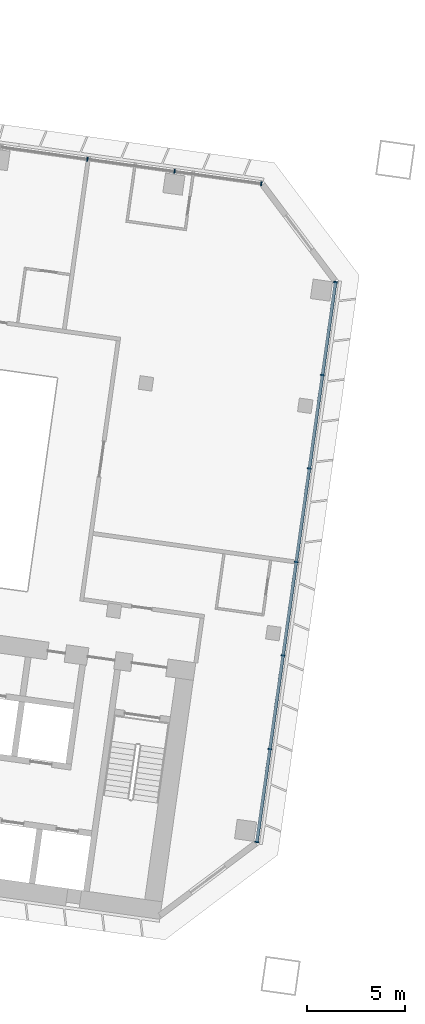
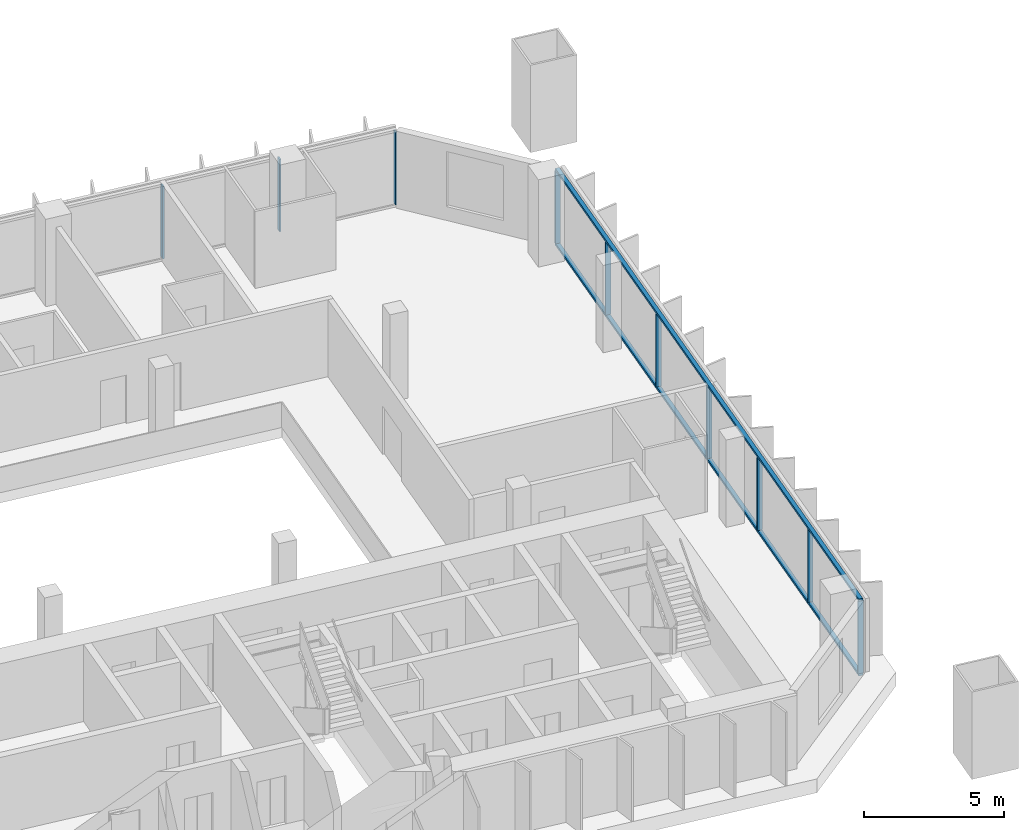
# One storey, part 6 of 24: 12 members, 2 elements without a shape of their own.
"""IFC4 building model written with IfcOpenShell, lengths in metres."""

import ifcopenshell
import ifcopenshell.guid

model = None  # the IFC model being written
_history = None  # IfcOwnerHistory: only IFC2X3 demands one
_inside = {}  # id of a spatial element -> (the spatial element, [elements in it])
_under = {}  # id of a project, library or spatial element -> (it, [spatial elements below it])
_declared = {}  # id of a project -> (the project, [libraries it declares])
_typed = {}  # id of a type object -> (the type object, [elements of that type])
_made_of = {}  # id of a material, layer set ... -> (it, [elements and type objects made of it])


def new_model(schema):
    """Start an empty IFC model of exactly this schema.

    Asked for "IFC4X3", IfcOpenShell would pick the latest addendum, in which some entities
    have other attributes; the version numbers below select the first issue.
    IFC2X3 requires an IfcOwnerHistory on every rooted entity: one is made here for all.
    """
    global model, _history
    if schema == "IFC4X3":
        model = ifcopenshell.file(schema_version=(4, 3, 0, 0))
    else:
        model = ifcopenshell.file(schema=schema)
    _inside.clear()
    _under.clear()
    _declared.clear()
    _typed.clear()
    _made_of.clear()
    _history = None
    if model.schema == "IFC2X3":
        org = make("IfcOrganization", Name="unknown")
        user = make(
            "IfcPersonAndOrganization",
            ThePerson=make("IfcPerson", FamilyName="unknown"),
            TheOrganization=org,
        )
        app = make(
            "IfcApplication",
            ApplicationDeveloper=org,
            Version="unknown",
            ApplicationFullName="unknown",
            ApplicationIdentifier="unknown",
        )
        _history = make(
            "IfcOwnerHistory",
            OwningUser=user,
            OwningApplication=app,
            ChangeAction="ADDED",
            CreationDate=0,
        )
    return model


def make(cls, **values):
    """One entity of the class cls with the attributes given. An attribute that is None is left unset."""
    return model.create_entity(
        cls, **{name: value for name, value in values.items() if value is not None}
    )


def rooted(cls, **values):
    """An entity with a GlobalId (a new one), such as an element, a storey or a relation."""
    return make(cls, GlobalId=ifcopenshell.guid.new(), OwnerHistory=_history, **values)


def si_unit(unit_type, name, prefix=None):
    """IfcSIUnit, for example si_unit("LENGTHUNIT", "METRE", prefix="MILLI")."""
    return make("IfcSIUnit", UnitType=unit_type, Prefix=prefix, Name=name)


def assignment(units):
    """IfcUnitAssignment: the units of a project."""
    return None if units is None else make("IfcUnitAssignment", Units=units)


def point(xyz):
    """IfcCartesianPoint."""
    return None if xyz is None else make("IfcCartesianPoint", Coordinates=xyz)


def direction(xyz):
    """IfcDirection."""
    return None if xyz is None else make("IfcDirection", DirectionRatios=xyz)


def frame(location, z_axis=None, x_axis=None):
    """IfcAxis2Placement3D, a coordinate frame: its origin and axes. An axis left out is left unset."""
    return make(
        "IfcAxis2Placement3D",
        Location=point(location),
        Axis=direction(z_axis),
        RefDirection=direction(x_axis),
    )


def frame_2d(location, x_axis=None):
    """IfcAxis2Placement2D, a coordinate frame in the plane: its origin and x axis."""
    return make(
        "IfcAxis2Placement2D", Location=point(location), RefDirection=direction(x_axis)
    )


def origin():
    """The frame at (0, 0, 0) with its axes left unset."""
    return frame((0.0, 0.0, 0.0))


def origin_2d():
    """The frame at (0, 0) in the plane with its x axis left unset."""
    return frame_2d((0.0, 0.0))


def place(relative_to, where):
    """IfcLocalPlacement: puts the frame where relative to a parent placement (None: the world)."""
    return make(
        "IfcLocalPlacement", PlacementRelTo=relative_to, RelativePlacement=where
    )


def context(
    kind, dimensions, precision=None, world=None, true_north=None, identifier=None
):
    """IfcGeometricRepresentationContext, for example the 3D "Model" context."""
    return make(
        "IfcGeometricRepresentationContext",
        ContextIdentifier=identifier,
        ContextType=kind,
        CoordinateSpaceDimension=dimensions,
        Precision=precision,
        WorldCoordinateSystem=world,
        TrueNorth=true_north,
    )


def subcontext(parent, identifier, kind, view, scale=None):
    """IfcGeometricRepresentationSubContext, for example "Body" below "Model"."""
    return make(
        "IfcGeometricRepresentationSubContext",
        ContextIdentifier=identifier,
        ContextType=kind,
        ParentContext=parent,
        TargetScale=scale,
        TargetView=view,
    )


def project(units=None, contexts=None):
    """IfcProject with its units and contexts."""
    return rooted(
        "IfcProject",
        Name="project",
        RepresentationContexts=contexts,
        UnitsInContext=assignment(units),
    )


def spatial(cls, under=None, at=None, **own):
    """A site, building, storey or space (cls), placed at a placement, below another one or the project."""
    s = rooted(cls, ObjectPlacement=at, **own)
    if under is not None:
        _under.setdefault(under.id(), (under, []))[1].append(s)
    return s


def profile(cls, at=None, kind="AREA", **sizes):
    """A parametric profile (cls). Its sizes go by their IFC names, for example OverallWidth=200.0."""
    return make(cls, ProfileType=kind, Position=at, **sizes)


def rectangle(**sizes):
    """IfcRectangleProfileDef."""
    return profile("IfcRectangleProfileDef", **sizes)


def extrude(swept, where, along, depth):
    """IfcExtrudedAreaSolid: the profile swept, set in the frame where, extruded along a direction by depth."""
    return make(
        "IfcExtrudedAreaSolid",
        SweptArea=swept,
        Position=where,
        ExtrudedDirection=direction(along),
        Depth=depth,
    )


def shape(context_of_items, identifier, shape_type, items):
    """IfcShapeRepresentation: the items that make up one representation, for example the "Body"."""
    return make(
        "IfcShapeRepresentation",
        ContextOfItems=context_of_items,
        RepresentationIdentifier=identifier,
        RepresentationType=shape_type,
        Items=items,
    )


def material(Name=None, Category=None):
    """IfcMaterial."""
    return make("IfcMaterial", Name=Name, Category=Category)


def material_profile(
    of_material, cross_section, Name=None, Category=None, Priority=None
):
    """IfcMaterialProfile: a cross section and its material."""
    return make(
        "IfcMaterialProfile",
        Name=Name,
        Material=of_material,
        Profile=cross_section,
        Priority=Priority,
        Category=Category,
    )


def profile_set(profiles, Name=None, composite=None):
    """IfcMaterialProfileSet."""
    return make(
        "IfcMaterialProfileSet",
        Name=Name,
        MaterialProfiles=profiles,
        CompositeProfile=composite,
    )


def made_of(thing, what):
    """Note that an element or type object is made of a material, layer set ...; save() writes the relation."""
    if what is not None:
        _made_of.setdefault(what.id(), (what, []))[1].append(thing)
    return thing


def type_object(cls, material=None, **own):
    """A type object (cls), such as IfcWallType, which elements share."""
    return made_of(rooted(cls, **own), material)


def element(
    cls,
    number,
    at=None,
    inside=None,
    cuts=None,
    type_object=None,
    material=None,
    context=None,
    identifier="Body",
    shape_type=None,
    held_by="IfcProductDefinitionShape",
    body=None,
    shapes=None,
    **own,
):
    """One element of the class cls, such as IfcWall. Its Tag is "e" and its number.

    at: its placement. inside: the storey or other place that contains it. cuts: it is an
    opening in that element (IfcRelVoidsElement). A single representation is given by context,
    identifier, shape_type and body (its items); several are given by shapes. held_by: the class
    of the entity that holds the representations. save() writes the other relations.
    """
    e = rooted(cls, Tag="e%d" % number, ObjectPlacement=at, **own)
    if body is not None:
        shapes = [shape(context, identifier, shape_type, body)]
    if shapes is not None:
        e.Representation = make(held_by, Representations=shapes)
    if inside is not None:
        _inside.setdefault(inside.id(), (inside, []))[1].append(e)
    if cuts is not None:
        rooted(
            "IfcRelVoidsElement", RelatingBuildingElement=cuts, RelatedOpeningElement=e
        )
    if type_object is not None:
        _typed.setdefault(type_object.id(), (type_object, []))[1].append(e)
    return made_of(e, material)


def aggregate(whole, parts):
    """IfcRelAggregates: a whole, such as a stair, and the parts it consists of."""
    return rooted("IfcRelAggregates", RelatingObject=whole, RelatedObjects=parts)


def save(model, path):
    """Write the relations noted so far, then the file.

    IfcRelAggregates (storeys below a building ...), IfcRelContainedInSpatialStructure (elements
    in a storey), IfcRelDefinesByType, IfcRelAssociatesMaterial and IfcRelDeclares: one each for
    every whole, place, type object, material and project.
    """
    for whole, parts in _under.values():
        aggregate(whole, parts)
    for where, things in _inside.values():
        rooted(
            "IfcRelContainedInSpatialStructure",
            RelatedElements=things,
            RelatingStructure=where,
        )
    for kind, things in _typed.values():
        rooted("IfcRelDefinesByType", RelatedObjects=things, RelatingType=kind)
    for what, things in _made_of.values():
        rooted("IfcRelAssociatesMaterial", RelatedObjects=things, RelatingMaterial=what)
    for by, libraries in _declared.values():
        rooted("IfcRelDeclares", RelatingContext=by, RelatedDefinitions=libraries)
    model.write(path)


model = new_model("IFC4")

# Units and contexts
model_context = context("Model", 3, precision=1e-05, world=origin(), true_north=direction((0.0, 1.0)))
body_context = subcontext(model_context, "Body", "Model", "MODEL_VIEW")
ifc_project = project(units=[si_unit("LENGTHUNIT", "METRE"), si_unit("AREAUNIT", "SQUARE_METRE"), si_unit("VOLUMEUNIT", "CUBIC_METRE"), si_unit("PLANEANGLEUNIT", "RADIAN"), si_unit("MASSUNIT", "GRAM", prefix="KILO")], contexts=[model_context])

# Site, building, storey
site_placement = place(None, origin())
site = spatial("IfcSite", under=ifc_project, at=site_placement, CompositionType="ELEMENT")
building_placement = place(site_placement, origin())
building = spatial("IfcBuilding", under=site, at=building_placement, Name="Mirante Cascada Hotel Towers", CompositionType="ELEMENT")
storey_placement = place(building_placement, frame((0.0, 0.0, 81.3)))
storey = spatial("IfcBuildingStorey", under=building, at=storey_placement, Name="L17", CompositionType="ELEMENT", Elevation=81.3)

# Curtain wall, members
ifc_material_1 = material(Name="Aluminium mullion and transom frame with clear laminated glass", Category="aluminium")
curtain_wall_type_1 = type_object("IfcCurtainWallType", Name="Ribbon curtain wall ECW1", PredefinedType="NOTDEFINED", material=ifc_material_1)
curtain_wall_1_placement = place(storey_placement, origin())
curtain_wall_1 = element("IfcCurtainWall", 1, at=curtain_wall_1_placement, inside=storey, type_object=curtain_wall_type_1, Name="Front ribbon wall T1 L17", PredefinedType="NOTDEFINED")
ifc_material_2 = material(Name="Anodised aluminium extrusion", Category="aluminium")
ifc_material_profile_1 = material_profile(ifc_material_2, rectangle(XDim=0.2, YDim=0.065, at=origin_2d()), Name="ECW1 MULLION 65x200")
ifc_profile_set_1 = profile_set([ifc_material_profile_1], Name="Anodised aluminium extrusion")
member_type_1 = type_object("IfcMemberType", Name="ECW1 mullion 65x200", PredefinedType="MULLION", material=ifc_profile_set_1)
member_1_placement = place(storey_placement, frame((-40.7892, 18.5516, 0.1), z_axis=(0.0, 0.0, 1.0), x_axis=(0.1391731, 0.9902681, 0.0)))
member_1 = element("IfcMember", 2, at=member_1_placement, type_object=member_type_1, Name="ECW1 mullion 13", PredefinedType="MULLION", context=body_context, shape_type="SweptSolid", body=[
    extrude(rectangle(XDim=0.2, YDim=0.065, at=origin_2d()), origin(), (0.0, 0.0, 1.0), 3.15),
])
member_2_placement = place(storey_placement, frame((-36.3417, 17.9265, 0.1), z_axis=(0.0, 0.0, 1.0), x_axis=(0.1391731, 0.9902681, 0.0)))
member_2 = element("IfcMember", 3, at=member_2_placement, type_object=member_type_1, Name="ECW1 mullion 14", PredefinedType="MULLION", context=body_context, shape_type="SweptSolid", body=[
    extrude(rectangle(XDim=0.2, YDim=0.065, at=origin_2d()), origin(), (0.0, 0.0, 1.0), 3.15),
])
member_3_placement = place(storey_placement, frame((-31.9265, 17.306, 0.1), z_axis=(0.0, 0.0, 1.0), x_axis=(0.1391731, 0.9902681, 0.0)))
member_3 = element("IfcMember", 4, at=member_3_placement, type_object=member_type_1, Name="ECW1 mullion 15", PredefinedType="MULLION", context=body_context, shape_type="SweptSolid", body=[
    extrude(rectangle(XDim=0.2, YDim=0.065, at=origin_2d()), origin(), (0.0, 0.0, 1.0), 3.15),
])
aggregate(curtain_wall_1, [member_1, member_2, member_3])

ifc_material_3 = material(Name="Aluminium mullion and transom frame with clear laminated glass", Category="aluminium")
curtain_wall_type_2 = type_object("IfcCurtainWallType", Name="End ribbon curtain wall ECW2", PredefinedType="NOTDEFINED", material=ifc_material_3)
curtain_wall_2_placement = place(storey_placement, origin())
curtain_wall_2 = element("IfcCurtainWall", 5, at=curtain_wall_2_placement, inside=storey, type_object=curtain_wall_type_2, Name="Inner end wall T1 L17", PredefinedType="NOTDEFINED")
ifc_material_4 = material(Name="Anodised aluminium extrusion", Category="aluminium")
ifc_material_profile_2 = material_profile(ifc_material_4, rectangle(XDim=0.2, YDim=0.065, at=origin_2d()), Name="ECW2 MULLION 65x200")
ifc_profile_set_2 = profile_set([ifc_material_profile_2], Name="Anodised aluminium extrusion")
member_type_2 = type_object("IfcMemberType", Name="ECW2 mullion 65x200", PredefinedType="MULLION", material=ifc_profile_set_2)
member_4_placement = place(storey_placement, frame((-28.1437, 12.2861, 0.1), z_axis=(0.0, 0.0, 1.0), x_axis=(0.9902681, -0.1391731, 0.0)))
member_4 = element("IfcMember", 6, at=member_4_placement, type_object=member_type_2, Name="ECW2 mullion 1", PredefinedType="MULLION", context=body_context, shape_type="SweptSolid", body=[
    extrude(rectangle(XDim=0.2, YDim=0.065, at=origin_2d()), origin(), (0.0, 0.0, 1.0), 3.15),
])
member_5_placement = place(storey_placement, frame((-28.809, 7.5524, 0.1), z_axis=(0.0, 0.0, 1.0), x_axis=(0.9902681, -0.1391731, 0.0)))
member_5 = element("IfcMember", 7, at=member_5_placement, type_object=member_type_2, Name="ECW2 mullion 2", PredefinedType="MULLION", context=body_context, shape_type="SweptSolid", body=[
    extrude(rectangle(XDim=0.2, YDim=0.065, at=origin_2d()), origin(), (0.0, 0.0, 1.0), 3.15),
])
member_6_placement = place(storey_placement, frame((-29.4788, 2.7867, 0.1), z_axis=(0.0, 0.0, 1.0), x_axis=(0.9902681, -0.1391731, 0.0)))
member_6 = element("IfcMember", 8, at=member_6_placement, type_object=member_type_2, Name="ECW2 mullion 3", PredefinedType="MULLION", context=body_context, shape_type="SweptSolid", body=[
    extrude(rectangle(XDim=0.2, YDim=0.065, at=origin_2d()), origin(), (0.0, 0.0, 1.0), 3.15),
])
member_7_placement = place(storey_placement, frame((-30.1485, -1.9791, 0.1), z_axis=(0.0, 0.0, 1.0), x_axis=(0.9902681, -0.1391731, 0.0)))
member_7 = element("IfcMember", 9, at=member_7_placement, type_object=member_type_2, Name="ECW2 mullion 4", PredefinedType="MULLION", context=body_context, shape_type="SweptSolid", body=[
    extrude(rectangle(XDim=0.2, YDim=0.065, at=origin_2d()), origin(), (0.0, 0.0, 1.0), 3.15),
])
member_8_placement = place(storey_placement, frame((-30.8183, -6.7449, 0.1), z_axis=(0.0, 0.0, 1.0), x_axis=(0.9902681, -0.1391731, 0.0)))
member_8 = element("IfcMember", 10, at=member_8_placement, type_object=member_type_2, Name="ECW2 mullion 5", PredefinedType="MULLION", context=body_context, shape_type="SweptSolid", body=[
    extrude(rectangle(XDim=0.2, YDim=0.065, at=origin_2d()), origin(), (0.0, 0.0, 1.0), 3.15),
])
member_9_placement = place(storey_placement, frame((-31.4881, -11.5107, 0.1), z_axis=(0.0, 0.0, 1.0), x_axis=(0.9902681, -0.1391731, 0.0)))
member_9 = element("IfcMember", 11, at=member_9_placement, type_object=member_type_2, Name="ECW2 mullion 6", PredefinedType="MULLION", context=body_context, shape_type="SweptSolid", body=[
    extrude(rectangle(XDim=0.2, YDim=0.065, at=origin_2d()), origin(), (0.0, 0.0, 1.0), 3.15),
])
member_10_placement = place(storey_placement, frame((-32.1534, -16.2443, 0.1), z_axis=(0.0, 0.0, 1.0), x_axis=(0.9902681, -0.1391731, 0.0)))
member_10 = element("IfcMember", 12, at=member_10_placement, type_object=member_type_2, Name="ECW2 mullion 7", PredefinedType="MULLION", context=body_context, shape_type="SweptSolid", body=[
    extrude(rectangle(XDim=0.2, YDim=0.065, at=origin_2d()), origin(), (0.0, 0.0, 1.0), 3.15),
])
ifc_material_5 = material(Name="Anodised aluminium extrusion", Category="aluminium")
ifc_material_profile_3 = material_profile(ifc_material_5, rectangle(XDim=0.16, YDim=0.1, at=origin_2d()), Name="ECW2 TRANSOM 100x160")
ifc_profile_set_3 = profile_set([ifc_material_profile_3], Name="Anodised aluminium extrusion")
member_type_3 = type_object("IfcMemberType", Name="ECW2 transom 100x160", PredefinedType="USERDEFINED", material=ifc_profile_set_3)
member_11_placement = place(storey_placement, frame((-28.1392, 12.3182, 0.05), z_axis=(-0.1391723, -0.9902682, 0.0), x_axis=(0.9902682, -0.1391723, 0.0)))
member_11 = element("IfcMember", 13, at=member_11_placement, type_object=member_type_3, Name="ECW2 sill transom", ObjectType="TRANSOM", PredefinedType="USERDEFINED", context=body_context, shape_type="SweptSolid", body=[
    extrude(rectangle(XDim=0.16, YDim=0.1, at=origin_2d()), origin(), (0.0, 0.0, 1.0), 28.8757),
])
member_12_placement = place(storey_placement, frame((-28.1392, 12.3182, 3.3), z_axis=(-0.1391723, -0.9902682, 0.0), x_axis=(0.9902682, -0.1391723, 0.0)))
member_12 = element("IfcMember", 14, at=member_12_placement, type_object=member_type_3, Name="ECW2 head transom", ObjectType="TRANSOM", PredefinedType="USERDEFINED", context=body_context, shape_type="SweptSolid", body=[
    extrude(rectangle(XDim=0.16, YDim=0.1, at=origin_2d()), origin(), (0.0, 0.0, 1.0), 28.8757),
])
aggregate(curtain_wall_2, [member_11, member_12, member_4, member_5, member_6, member_7, member_8, member_9, member_10])

save(model, "model.ifc")
